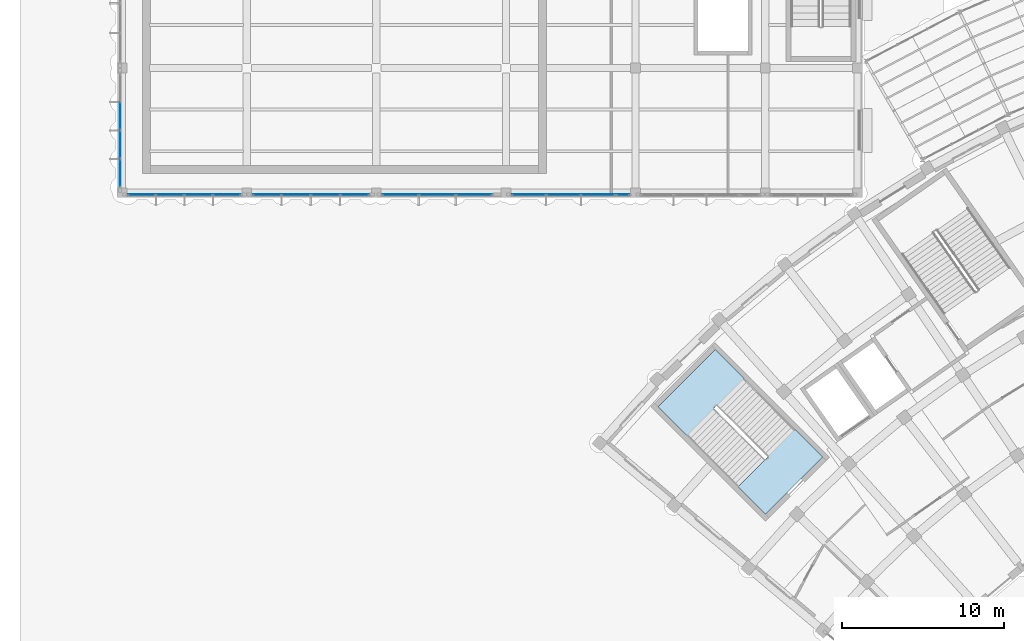
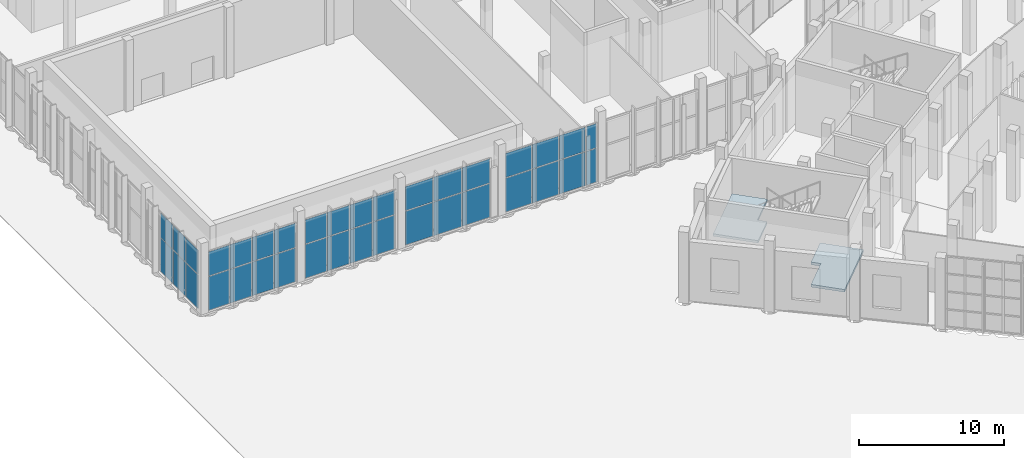
# One storey, part 72 of 155: 36 plates, 2 slabs, 7 elements without a shape of their own.
"""IFC4 building model written with IfcOpenShell, lengths in metres."""

from ifc_helpers import new_model, si_unit, direction, frame, origin, origin_2d, place, context, subcontext, project, spatial, polyline, rectangle, outline, extrude, material, layer, layer_set, type_object, element, aggregate, save


model = new_model("IFC4")

# Units and contexts
model_context = context("Model", 3, precision=1e-05, world=origin(), true_north=direction((0.0, 1.0)))
body_context = subcontext(model_context, "Body", "Model", "MODEL_VIEW")
ifc_project = project(units=[si_unit("LENGTHUNIT", "METRE"), si_unit("AREAUNIT", "SQUARE_METRE"), si_unit("VOLUMEUNIT", "CUBIC_METRE"), si_unit("PLANEANGLEUNIT", "RADIAN"), si_unit("MASSUNIT", "GRAM", prefix="KILO")], contexts=[model_context])

# Site, building, storey
site_placement = place(None, origin())
site = spatial("IfcSite", under=ifc_project, at=site_placement, CompositionType="ELEMENT")
building_placement = place(site_placement, origin())
building = spatial("IfcBuilding", under=site, at=building_placement, Name="Lunette Opera House", CompositionType="ELEMENT")
storey_placement = place(building_placement, origin())
storey = spatial("IfcBuildingStorey", under=building, at=storey_placement, Name="L00", CompositionType="ELEMENT", Elevation=0.0)

# Slab
ifc_material_1 = material(Name="Concrete C35/45", Category="concrete")
ifc_layer_1 = layer(ifc_material_1, 0.219970703125)
ifc_layer_set_1 = layer_set([ifc_layer_1], Name="Concrete C35/45")
slab_type_1 = type_object("IfcSlabType", Name="CORE LANDING SLAB 220", PredefinedType="LANDING", material=ifc_layer_set_1)
slab_1_placement = place(storey_placement, frame((0.0, 0.0, -0.219970703125)))
element("IfcSlab", 1, at=slab_1_placement, inside=storey, type_object=slab_type_1, Name="ST1 floor landing", PredefinedType="LANDING", context=body_context, shape_type="SweptSolid", body=[
    extrude(outline(polyline([(46.319091796875, 46.14501953125), (48.01611328125, 47.842041015625), (48.02294921875, 47.8349609375), (48.1650390625, 47.97705078125), (47.669921875, 48.471923828125), (49.366943359375, 50.1689453125), (51.55908203125, 47.97705078125), (48.02294921875, 44.44091796875), (46.319091796875, 46.14501953125)])), origin(), (0.0, 0.0, 1.0), 0.219970703125),
])

# Curtain wall, plates
ifc_material_2 = material(Name="Aluminium", Category="aluminium")
ifc_layer_2 = layer(ifc_material_2, 0.179931640625)
ifc_layer_set_2 = layer_set([ifc_layer_2], Name="Aluminium")
curtain_wall_type = type_object("IfcCurtainWallType", Name="SUN FACE CURTAIN WALL", PredefinedType="NOTDEFINED", material=ifc_layer_set_2)
curtain_wall_1_placement = place(storey_placement, origin())
curtain_wall_1 = element("IfcCurtainWall", 2, at=curtain_wall_1_placement, inside=storey, type_object=curtain_wall_type, Name="Sun Face Curtain Wall F12 L00", PredefinedType="NOTDEFINED")
ifc_material_3 = material(Name="Laminated glass", Category="glass")
ifc_layer_3 = layer(ifc_material_3, 0.028076171875)
ifc_layer_set_3 = layer_set([ifc_layer_3], Name="Laminated glass")
plate_type = type_object("IfcPlateType", Name="CURTAIN PANEL LAMINATED GLASS 28", PredefinedType="CURTAIN_PANEL", material=ifc_layer_set_3)
plate_1_placement = place(storey_placement, frame((8.181884765625, 69.030029296875, 0.06005859375), z_axis=(0.0, 0.0, 1.0), x_axis=(0.0, -1.0, 0.0)))
plate_1 = element("IfcPlate", 3, at=plate_1_placement, type_object=plate_type, Name="RW-X2006 panel 2.1", PredefinedType="CURTAIN_PANEL", context=body_context, shape_type="SweptSolid", body=[
    extrude(rectangle(XDim=1.699951171875, YDim=0.028076171875, at=origin_2d()), origin(), (0.0, 0.0, 1.0), 2.8349609375),
])
plate_2_placement = place(storey_placement, frame((8.181884765625, 69.030029296875, 2.955078125), z_axis=(0.0, 0.0, 1.0), x_axis=(0.0, -1.0, 0.0)))
plate_2 = element("IfcPlate", 4, at=plate_2_placement, type_object=plate_type, Name="RW-X2006 panel 2.2", PredefinedType="CURTAIN_PANEL", context=body_context, shape_type="SweptSolid", body=[
    extrude(rectangle(XDim=1.699951171875, YDim=0.028076171875, at=origin_2d()), origin(), (0.0, 0.0, 1.0), 2.034912109375),
])
plate_3_placement = place(storey_placement, frame((8.181884765625, 67.27001953125, 0.06005859375), z_axis=(0.0, 0.0, 1.0), x_axis=(0.0, -1.0, 0.0)))
plate_3 = element("IfcPlate", 5, at=plate_3_placement, type_object=plate_type, Name="RW-X2006 panel 3.1", PredefinedType="CURTAIN_PANEL", context=body_context, shape_type="SweptSolid", body=[
    extrude(rectangle(XDim=1.699951171875, YDim=0.028076171875, at=origin_2d()), origin(), (0.0, 0.0, 1.0), 2.8349609375),
])
plate_4_placement = place(storey_placement, frame((8.181884765625, 67.27001953125, 2.955078125), z_axis=(0.0, 0.0, 1.0), x_axis=(0.0, -1.0, 0.0)))
plate_4 = element("IfcPlate", 6, at=plate_4_placement, type_object=plate_type, Name="RW-X2006 panel 3.2", PredefinedType="CURTAIN_PANEL", context=body_context, shape_type="SweptSolid", body=[
    extrude(rectangle(XDim=1.699951171875, YDim=0.028076171875, at=origin_2d()), origin(), (0.0, 0.0, 1.0), 2.034912109375),
])
plate_5_placement = place(storey_placement, frame((8.181884765625, 65.52490234375, 0.06005859375), z_axis=(0.0, 0.0, 1.0), x_axis=(0.0, -1.0, 0.0)))
plate_5 = element("IfcPlate", 7, at=plate_5_placement, type_object=plate_type, Name="RW-X2006 panel 4.1", PredefinedType="CURTAIN_PANEL", context=body_context, shape_type="SweptSolid", body=[
    extrude(rectangle(XDim=1.669921875, YDim=0.028076171875, at=origin_2d()), origin(), (0.0, 0.0, 1.0), 2.8349609375),
])
plate_6_placement = place(storey_placement, frame((8.181884765625, 65.52490234375, 2.955078125), z_axis=(0.0, 0.0, 1.0), x_axis=(0.0, -1.0, 0.0)))
plate_6 = element("IfcPlate", 8, at=plate_6_placement, type_object=plate_type, Name="RW-X2006 panel 4.2", PredefinedType="CURTAIN_PANEL", context=body_context, shape_type="SweptSolid", body=[
    extrude(rectangle(XDim=1.669921875, YDim=0.028076171875, at=origin_2d()), origin(), (0.0, 0.0, 1.0), 2.034912109375),
])
aggregate(curtain_wall_1, [plate_1, plate_2, plate_3, plate_4, plate_5, plate_6])

curtain_wall_2_placement = place(storey_placement, origin())
curtain_wall_2 = element("IfcCurtainWall", 9, at=curtain_wall_2_placement, inside=storey, type_object=curtain_wall_type, Name="Sun Face Curtain Wall F13 L00", PredefinedType="NOTDEFINED")
plate_7_placement = place(storey_placement, frame((9.52490234375, 64.18310546875, 0.06005859375), z_axis=(0.0, 0.0, 1.0), x_axis=(1.0, 0.0, 0.0)))
plate_7 = element("IfcPlate", 10, at=plate_7_placement, type_object=plate_type, Name="RW-X2007 panel 1.1", PredefinedType="CURTAIN_PANEL", context=body_context, shape_type="SweptSolid", body=[
    extrude(rectangle(XDim=1.669921875, YDim=0.028076171875, at=origin_2d()), origin(), (0.0, 0.0, 1.0), 2.8349609375),
])
plate_8_placement = place(storey_placement, frame((9.52490234375, 64.18310546875, 2.955078125), z_axis=(0.0, 0.0, 1.0), x_axis=(1.0, 0.0, 0.0)))
plate_8 = element("IfcPlate", 11, at=plate_8_placement, type_object=plate_type, Name="RW-X2007 panel 1.2", PredefinedType="CURTAIN_PANEL", context=body_context, shape_type="SweptSolid", body=[
    extrude(rectangle(XDim=1.669921875, YDim=0.028076171875, at=origin_2d()), origin(), (0.0, 0.0, 1.0), 2.034912109375),
])
plate_9_placement = place(storey_placement, frame((11.27001953125, 64.18310546875, 0.06005859375), z_axis=(0.0, 0.0, 1.0), x_axis=(1.0, 0.0, 0.0)))
plate_9 = element("IfcPlate", 12, at=plate_9_placement, type_object=plate_type, Name="RW-X2007 panel 2.1", PredefinedType="CURTAIN_PANEL", context=body_context, shape_type="SweptSolid", body=[
    extrude(rectangle(XDim=1.699951171875, YDim=0.028076171875, at=origin_2d()), origin(), (0.0, 0.0, 1.0), 2.8349609375),
])
plate_10_placement = place(storey_placement, frame((11.27001953125, 64.18310546875, 2.955078125), z_axis=(0.0, 0.0, 1.0), x_axis=(1.0, 0.0, 0.0)))
plate_10 = element("IfcPlate", 13, at=plate_10_placement, type_object=plate_type, Name="RW-X2007 panel 2.2", PredefinedType="CURTAIN_PANEL", context=body_context, shape_type="SweptSolid", body=[
    extrude(rectangle(XDim=1.699951171875, YDim=0.028076171875, at=origin_2d()), origin(), (0.0, 0.0, 1.0), 2.034912109375),
])
plate_11_placement = place(storey_placement, frame((13.030029296875, 64.18310546875, 0.06005859375), z_axis=(0.0, 0.0, 1.0), x_axis=(1.0, 0.0, 0.0)))
plate_11 = element("IfcPlate", 14, at=plate_11_placement, type_object=plate_type, Name="RW-X2007 panel 3.1", PredefinedType="CURTAIN_PANEL", context=body_context, shape_type="SweptSolid", body=[
    extrude(rectangle(XDim=1.699951171875, YDim=0.028076171875, at=origin_2d()), origin(), (0.0, 0.0, 1.0), 2.8349609375),
])
plate_12_placement = place(storey_placement, frame((13.030029296875, 64.18310546875, 2.955078125), z_axis=(0.0, 0.0, 1.0), x_axis=(1.0, 0.0, 0.0)))
plate_12 = element("IfcPlate", 15, at=plate_12_placement, type_object=plate_type, Name="RW-X2007 panel 3.2", PredefinedType="CURTAIN_PANEL", context=body_context, shape_type="SweptSolid", body=[
    extrude(rectangle(XDim=1.699951171875, YDim=0.028076171875, at=origin_2d()), origin(), (0.0, 0.0, 1.0), 2.034912109375),
])
plate_13_placement = place(storey_placement, frame((14.77490234375, 64.18310546875, 0.06005859375), z_axis=(0.0, 0.0, 1.0), x_axis=(1.0, 0.0, 0.0)))
plate_13 = element("IfcPlate", 16, at=plate_13_placement, type_object=plate_type, Name="RW-X2007 panel 4.1", PredefinedType="CURTAIN_PANEL", context=body_context, shape_type="SweptSolid", body=[
    extrude(rectangle(XDim=1.669921875, YDim=0.028076171875, at=origin_2d()), origin(), (0.0, 0.0, 1.0), 2.8349609375),
])
plate_14_placement = place(storey_placement, frame((14.77490234375, 64.18310546875, 2.955078125), z_axis=(0.0, 0.0, 1.0), x_axis=(1.0, 0.0, 0.0)))
plate_14 = element("IfcPlate", 17, at=plate_14_placement, type_object=plate_type, Name="RW-X2007 panel 4.2", PredefinedType="CURTAIN_PANEL", context=body_context, shape_type="SweptSolid", body=[
    extrude(rectangle(XDim=1.669921875, YDim=0.028076171875, at=origin_2d()), origin(), (0.0, 0.0, 1.0), 2.034912109375),
])
aggregate(curtain_wall_2, [plate_7, plate_8, plate_9, plate_10, plate_11, plate_12, plate_13, plate_14])

curtain_wall_3_placement = place(storey_placement, origin())
curtain_wall_3 = element("IfcCurtainWall", 18, at=curtain_wall_3_placement, inside=storey, type_object=curtain_wall_type, Name="Sun Face Curtain Wall F14 L00", PredefinedType="NOTDEFINED")
plate_15_placement = place(storey_placement, frame((17.2509765625, 64.18310546875, 0.06005859375), z_axis=(0.0, 0.0, 1.0), x_axis=(1.0, 0.0, 0.0)))
plate_15 = element("IfcPlate", 19, at=plate_15_placement, type_object=plate_type, Name="RW-X2008 panel 1.1", PredefinedType="CURTAIN_PANEL", context=body_context, shape_type="SweptSolid", body=[
    extrude(rectangle(XDim=1.7216796875, YDim=0.028076171875, at=origin_2d()), origin(), (0.0, 0.0, 1.0), 2.8349609375),
])
plate_16_placement = place(storey_placement, frame((17.2509765625, 64.18310546875, 2.955078125), z_axis=(0.0, 0.0, 1.0), x_axis=(1.0, 0.0, 0.0)))
plate_16 = element("IfcPlate", 20, at=plate_16_placement, type_object=plate_type, Name="RW-X2008 panel 1.2", PredefinedType="CURTAIN_PANEL", context=body_context, shape_type="SweptSolid", body=[
    extrude(rectangle(XDim=1.7216796875, YDim=0.028076171875, at=origin_2d()), origin(), (0.0, 0.0, 1.0), 2.034912109375),
])
plate_17_placement = place(storey_placement, frame((19.047607421875, 64.18310546875, 0.06005859375), z_axis=(0.0, 0.0, 1.0), x_axis=(1.0, 0.0, 0.0)))
plate_17 = element("IfcPlate", 21, at=plate_17_placement, type_object=plate_type, Name="RW-X2008 panel 2.1", PredefinedType="CURTAIN_PANEL", context=body_context, shape_type="SweptSolid", body=[
    extrude(rectangle(XDim=1.751708984375, YDim=0.028076171875, at=origin_2d()), origin(), (0.0, 0.0, 1.0), 2.8349609375),
])
plate_18_placement = place(storey_placement, frame((19.047607421875, 64.18310546875, 2.955078125), z_axis=(0.0, 0.0, 1.0), x_axis=(1.0, 0.0, 0.0)))
plate_18 = element("IfcPlate", 22, at=plate_18_placement, type_object=plate_type, Name="RW-X2008 panel 2.2", PredefinedType="CURTAIN_PANEL", context=body_context, shape_type="SweptSolid", body=[
    extrude(rectangle(XDim=1.751708984375, YDim=0.028076171875, at=origin_2d()), origin(), (0.0, 0.0, 1.0), 2.034912109375),
])
plate_19_placement = place(storey_placement, frame((20.859375, 64.18310546875, 0.06005859375), z_axis=(0.0, 0.0, 1.0), x_axis=(1.0, 0.0, 0.0)))
plate_19 = element("IfcPlate", 23, at=plate_19_placement, type_object=plate_type, Name="RW-X2008 panel 3.1", PredefinedType="CURTAIN_PANEL", context=body_context, shape_type="SweptSolid", body=[
    extrude(rectangle(XDim=1.751708984375, YDim=0.028076171875, at=origin_2d()), origin(), (0.0, 0.0, 1.0), 2.8349609375),
])
plate_20_placement = place(storey_placement, frame((20.859375, 64.18310546875, 2.955078125), z_axis=(0.0, 0.0, 1.0), x_axis=(1.0, 0.0, 0.0)))
plate_20 = element("IfcPlate", 24, at=plate_20_placement, type_object=plate_type, Name="RW-X2008 panel 3.2", PredefinedType="CURTAIN_PANEL", context=body_context, shape_type="SweptSolid", body=[
    extrude(rectangle(XDim=1.751708984375, YDim=0.028076171875, at=origin_2d()), origin(), (0.0, 0.0, 1.0), 2.034912109375),
])
plate_21_placement = place(storey_placement, frame((22.656005859375, 64.18310546875, 0.06005859375), z_axis=(0.0, 0.0, 1.0), x_axis=(1.0, 0.0, 0.0)))
plate_21 = element("IfcPlate", 25, at=plate_21_placement, type_object=plate_type, Name="RW-X2008 panel 4.1", PredefinedType="CURTAIN_PANEL", context=body_context, shape_type="SweptSolid", body=[
    extrude(rectangle(XDim=1.7216796875, YDim=0.028076171875, at=origin_2d()), origin(), (0.0, 0.0, 1.0), 2.8349609375),
])
plate_22_placement = place(storey_placement, frame((22.656005859375, 64.18310546875, 2.955078125), z_axis=(0.0, 0.0, 1.0), x_axis=(1.0, 0.0, 0.0)))
plate_22 = element("IfcPlate", 26, at=plate_22_placement, type_object=plate_type, Name="RW-X2008 panel 4.2", PredefinedType="CURTAIN_PANEL", context=body_context, shape_type="SweptSolid", body=[
    extrude(rectangle(XDim=1.7216796875, YDim=0.028076171875, at=origin_2d()), origin(), (0.0, 0.0, 1.0), 2.034912109375),
])
aggregate(curtain_wall_3, [plate_15, plate_16, plate_17, plate_18, plate_19, plate_20, plate_21, plate_22])

curtain_wall_4_placement = place(storey_placement, origin())
curtain_wall_4 = element("IfcCurtainWall", 27, at=curtain_wall_4_placement, inside=storey, type_object=curtain_wall_type, Name="Sun Face Curtain Wall F15 L00", PredefinedType="NOTDEFINED")
plate_23_placement = place(storey_placement, frame((25.487060546875, 64.18310546875, 0.06005859375), z_axis=(0.0, 0.0, 1.0), x_axis=(1.0, 0.0, 0.0)))
plate_23 = element("IfcPlate", 28, at=plate_23_placement, type_object=plate_type, Name="RW-X2009 panel 1.1", PredefinedType="CURTAIN_PANEL", context=body_context, shape_type="SweptSolid", body=[
    extrude(rectangle(XDim=2.1943359375, YDim=0.028076171875, at=origin_2d()), origin(), (0.0, 0.0, 1.0), 2.8349609375),
])
plate_24_placement = place(storey_placement, frame((25.487060546875, 64.18310546875, 2.955078125), z_axis=(0.0, 0.0, 1.0), x_axis=(1.0, 0.0, 0.0)))
plate_24 = element("IfcPlate", 29, at=plate_24_placement, type_object=plate_type, Name="RW-X2009 panel 1.2", PredefinedType="CURTAIN_PANEL", context=body_context, shape_type="SweptSolid", body=[
    extrude(rectangle(XDim=2.1943359375, YDim=0.028076171875, at=origin_2d()), origin(), (0.0, 0.0, 1.0), 2.034912109375),
])
plate_25_placement = place(storey_placement, frame((27.756591796875, 64.18310546875, 0.06005859375), z_axis=(0.0, 0.0, 1.0), x_axis=(1.0, 0.0, 0.0)))
plate_25 = element("IfcPlate", 30, at=plate_25_placement, type_object=plate_type, Name="RW-X2009 panel 2.1", PredefinedType="CURTAIN_PANEL", context=body_context, shape_type="SweptSolid", body=[
    extrude(rectangle(XDim=2.224365234375, YDim=0.028076171875, at=origin_2d()), origin(), (0.0, 0.0, 1.0), 2.8349609375),
])
plate_26_placement = place(storey_placement, frame((27.756591796875, 64.18310546875, 2.955078125), z_axis=(0.0, 0.0, 1.0), x_axis=(1.0, 0.0, 0.0)))
plate_26 = element("IfcPlate", 31, at=plate_26_placement, type_object=plate_type, Name="RW-X2009 panel 2.2", PredefinedType="CURTAIN_PANEL", context=body_context, shape_type="SweptSolid", body=[
    extrude(rectangle(XDim=2.224365234375, YDim=0.028076171875, at=origin_2d()), origin(), (0.0, 0.0, 1.0), 2.034912109375),
])
plate_27_placement = place(storey_placement, frame((30.02587890625, 64.18310546875, 0.06005859375), z_axis=(0.0, 0.0, 1.0), x_axis=(1.0, 0.0, 0.0)))
plate_27 = element("IfcPlate", 32, at=plate_27_placement, type_object=plate_type, Name="RW-X2009 panel 3.1", PredefinedType="CURTAIN_PANEL", context=body_context, shape_type="SweptSolid", body=[
    extrude(rectangle(XDim=2.1943359375, YDim=0.028076171875, at=origin_2d()), origin(), (0.0, 0.0, 1.0), 2.8349609375),
])
plate_28_placement = place(storey_placement, frame((30.02587890625, 64.18310546875, 2.955078125), z_axis=(0.0, 0.0, 1.0), x_axis=(1.0, 0.0, 0.0)))
plate_28 = element("IfcPlate", 33, at=plate_28_placement, type_object=plate_type, Name="RW-X2009 panel 3.2", PredefinedType="CURTAIN_PANEL", context=body_context, shape_type="SweptSolid", body=[
    extrude(rectangle(XDim=2.1943359375, YDim=0.028076171875, at=origin_2d()), origin(), (0.0, 0.0, 1.0), 2.034912109375),
])
aggregate(curtain_wall_4, [plate_23, plate_24, plate_25, plate_26, plate_27, plate_28])

curtain_wall_5_placement = place(storey_placement, origin())
curtain_wall_5 = element("IfcCurtainWall", 34, at=curtain_wall_5_placement, inside=storey, type_object=curtain_wall_type, Name="Sun Face Curtain Wall F16 L00", PredefinedType="NOTDEFINED")
plate_29_placement = place(storey_placement, frame((33.42138671875, 64.18310546875, 0.06005859375), z_axis=(0.0, 0.0, 1.0), x_axis=(1.0, 0.0, 0.0)))
plate_29 = element("IfcPlate", 35, at=plate_29_placement, type_object=plate_type, Name="RW-X2010 panel 1.1", PredefinedType="CURTAIN_PANEL", context=body_context, shape_type="SweptSolid", body=[
    extrude(rectangle(XDim=2.062744140625, YDim=0.028076171875, at=origin_2d()), origin(), (0.0, 0.0, 1.0), 2.8349609375),
])
plate_30_placement = place(storey_placement, frame((33.42138671875, 64.18310546875, 2.955078125), z_axis=(0.0, 0.0, 1.0), x_axis=(1.0, 0.0, 0.0)))
plate_30 = element("IfcPlate", 36, at=plate_30_placement, type_object=plate_type, Name="RW-X2010 panel 1.2", PredefinedType="CURTAIN_PANEL", context=body_context, shape_type="SweptSolid", body=[
    extrude(rectangle(XDim=2.062744140625, YDim=0.028076171875, at=origin_2d()), origin(), (0.0, 0.0, 1.0), 2.034912109375),
])
plate_31_placement = place(storey_placement, frame((35.55908203125, 64.18310546875, 0.06005859375), z_axis=(0.0, 0.0, 1.0), x_axis=(1.0, 0.0, 0.0)))
plate_31 = element("IfcPlate", 37, at=plate_31_placement, type_object=plate_type, Name="RW-X2010 panel 2.1", PredefinedType="CURTAIN_PANEL", context=body_context, shape_type="SweptSolid", body=[
    extrude(rectangle(XDim=2.0927734375, YDim=0.028076171875, at=origin_2d()), origin(), (0.0, 0.0, 1.0), 2.8349609375),
])
plate_32_placement = place(storey_placement, frame((35.55908203125, 64.18310546875, 2.955078125), z_axis=(0.0, 0.0, 1.0), x_axis=(1.0, 0.0, 0.0)))
plate_32 = element("IfcPlate", 38, at=plate_32_placement, type_object=plate_type, Name="RW-X2010 panel 2.2", PredefinedType="CURTAIN_PANEL", context=body_context, shape_type="SweptSolid", body=[
    extrude(rectangle(XDim=2.0927734375, YDim=0.028076171875, at=origin_2d()), origin(), (0.0, 0.0, 1.0), 2.034912109375),
])
plate_33_placement = place(storey_placement, frame((37.69677734375, 64.18310546875, 0.06005859375), z_axis=(0.0, 0.0, 1.0), x_axis=(1.0, 0.0, 0.0)))
plate_33 = element("IfcPlate", 39, at=plate_33_placement, type_object=plate_type, Name="RW-X2010 panel 3.1", PredefinedType="CURTAIN_PANEL", context=body_context, shape_type="SweptSolid", body=[
    extrude(rectangle(XDim=2.062744140625, YDim=0.028076171875, at=origin_2d()), origin(), (0.0, 0.0, 1.0), 2.8349609375),
])
plate_34_placement = place(storey_placement, frame((37.69677734375, 64.18310546875, 2.955078125), z_axis=(0.0, 0.0, 1.0), x_axis=(1.0, 0.0, 0.0)))
plate_34 = element("IfcPlate", 40, at=plate_34_placement, type_object=plate_type, Name="RW-X2010 panel 3.2", PredefinedType="CURTAIN_PANEL", context=body_context, shape_type="SweptSolid", body=[
    extrude(rectangle(XDim=2.062744140625, YDim=0.028076171875, at=origin_2d()), origin(), (0.0, 0.0, 1.0), 2.034912109375),
])
aggregate(curtain_wall_5, [plate_29, plate_30, plate_31, plate_32, plate_33, plate_34])

curtain_wall_6_placement = place(storey_placement, origin())
curtain_wall_6 = element("IfcCurtainWall", 41, at=curtain_wall_6_placement, inside=storey, type_object=curtain_wall_type, Name="Sun Face Curtain Wall F17-1 L00", PredefinedType="NOTDEFINED")
plate_35_placement = place(storey_placement, frame((39.22900390625, 64.18310546875, 0.06005859375), z_axis=(0.0, 0.0, 1.0), x_axis=(1.0, 0.0, 0.0)))
plate_35 = element("IfcPlate", 42, at=plate_35_placement, type_object=plate_type, Name="RW-X2011 panel 1.1", PredefinedType="CURTAIN_PANEL", context=body_context, shape_type="SweptSolid", body=[
    extrude(rectangle(XDim=0.761962890625, YDim=0.028076171875, at=origin_2d()), origin(), (0.0, 0.0, 1.0), 2.8349609375),
])
plate_36_placement = place(storey_placement, frame((39.22900390625, 64.18310546875, 2.955078125), z_axis=(0.0, 0.0, 1.0), x_axis=(1.0, 0.0, 0.0)))
plate_36 = element("IfcPlate", 43, at=plate_36_placement, type_object=plate_type, Name="RW-X2011 panel 1.2", PredefinedType="CURTAIN_PANEL", context=body_context, shape_type="SweptSolid", body=[
    extrude(rectangle(XDim=0.761962890625, YDim=0.028076171875, at=origin_2d()), origin(), (0.0, 0.0, 1.0), 2.034912109375),
])
aggregate(curtain_wall_6, [plate_35, plate_36])

# Stair, slab
ifc_material_4 = material(Name="Concrete C35/45", Category="concrete")
stair_type = type_object("IfcStairType", Name="DOGLEG STAIR 2400", PredefinedType="HALF_TURN_STAIR", material=ifc_material_4)
stair_placement = place(storey_placement, origin())
stair = element("IfcStair", 44, at=stair_placement, inside=storey, type_object=stair_type, Name="L00 stair ST1", PredefinedType="HALF_TURN_STAIR")
ifc_material_5 = material(Name="Concrete C35/45", Category="concrete")
ifc_layer_4 = layer(ifc_material_5, 0.199951171875)
ifc_layer_set_4 = layer_set([ifc_layer_4], Name="Concrete C35/45")
slab_type_2 = type_object("IfcSlabType", Name="STAIR LANDING SLAB 200", PredefinedType="LANDING", material=ifc_layer_set_4)
slab_2_placement = place(storey_placement, frame((0.0, 0.0, 2.800048828125)))
slab_2 = element("IfcSlab", 45, at=slab_2_placement, type_object=slab_type_2, Name="ST1 landing 1", PredefinedType="LANDING", context=body_context, shape_type="SweptSolid", body=[
    extrude(outline(polyline([(41.3759765625, 51.087890625), (44.912109375, 54.6240234375), (46.700927734375, 52.8349609375), (45.00390625, 51.137939453125), (44.9970703125, 51.14501953125), (44.85498046875, 51.0029296875), (45.35009765625, 50.508056640625), (43.653076171875, 48.81103515625), (41.3759765625, 51.087890625)])), origin(), (0.0, 0.0, 1.0), 0.199951171875),
])
aggregate(stair, [slab_2])

save(model, "model.ifc")
